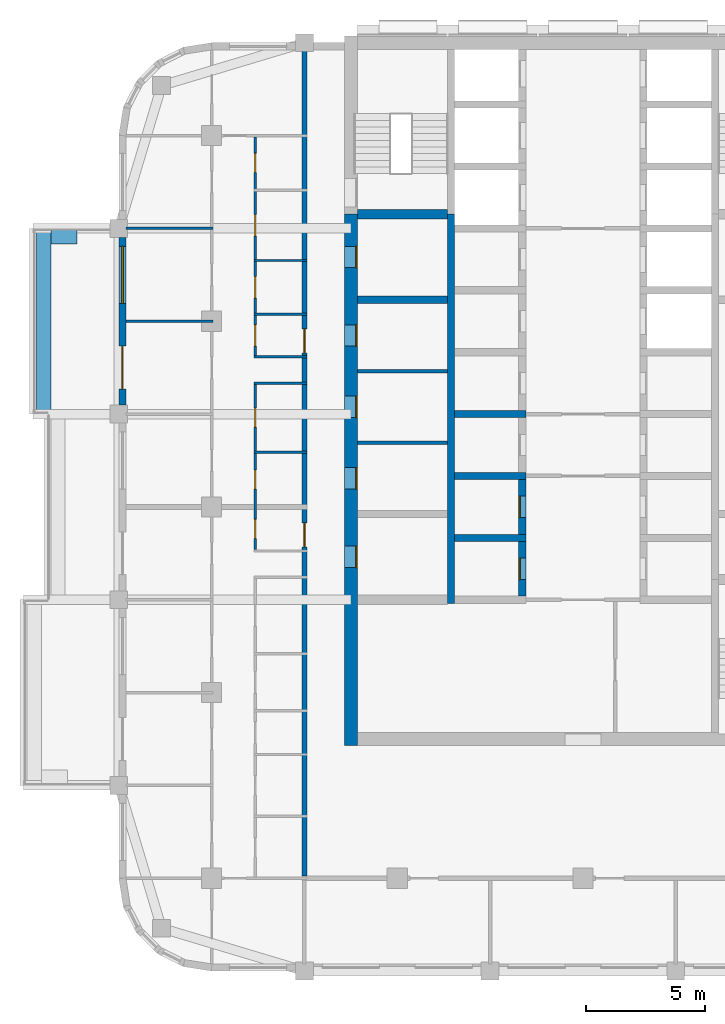
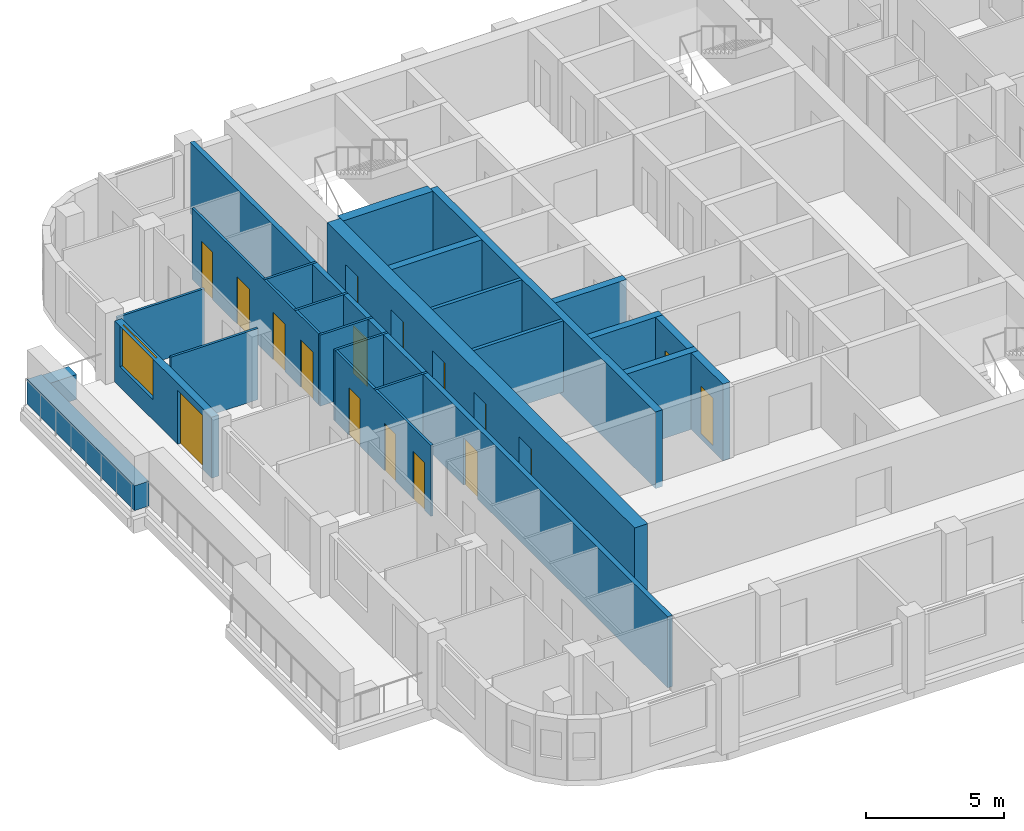
# One storey, part 4 of 13: 24 walls, 17 doors, 1 window, 18 openings.
"""IFC4 building model written with IfcOpenShell, lengths in metres."""

from ifc_helpers import new_model, si_unit, direction, frame, frame_2d, origin, place, context, subcontext, project, spatial, rectangle, extrude, material, layer, layer_set, type_object, element, fill, save


model = new_model("IFC4")

# Units and contexts
model_context = context("Model", 3, precision=1e-05, world=origin(), true_north=direction((0.0, 1.0)))
body_context = subcontext(model_context, "Body", "Model", "MODEL_VIEW")
ifc_project = project(units=[si_unit("LENGTHUNIT", "METRE"), si_unit("AREAUNIT", "SQUARE_METRE"), si_unit("VOLUMEUNIT", "CUBIC_METRE"), si_unit("PLANEANGLEUNIT", "RADIAN"), si_unit("MASSUNIT", "GRAM", prefix="KILO")], contexts=[model_context])

# Site, building, storey
site_placement = place(None, origin())
site = spatial("IfcSite", under=ifc_project, at=site_placement, CompositionType="ELEMENT")
building_placement = place(site_placement, origin())
building = spatial("IfcBuilding", under=site, at=building_placement, Name="Ludao Terraces", CompositionType="ELEMENT")
storey_placement = place(building_placement, frame((0.0, 0.0, 186.0)))
storey = spatial("IfcBuildingStorey", under=building, at=storey_placement, Name="L50", CompositionType="ELEMENT", Elevation=186.0)

# Wall, openings, doors
ifc_material_1 = material(Name="Concrete C60", Category="concrete")
ifc_layer_1 = layer(ifc_material_1, 0.550048828125)
ifc_layer_set_1 = layer_set([ifc_layer_1], Name="Core wall 550 C60")
wall_type_1 = type_object("IfcWallType", Name="Core wall 550 C60", PredefinedType="SOLIDWALL", material=ifc_layer_set_1)
wall_1_placement = place(storey_placement, frame((75.25, 54.97509765625, -0.25), z_axis=(0.0, 0.0, 1.0), x_axis=(0.0, 1.0, 0.0)))
wall_1 = element("IfcWall", 1, at=wall_1_placement, inside=storey, type_object=wall_type_1, Name="Core wall L50 outer-W", PredefinedType="SOLIDWALL", context=body_context, shape_type="SweptSolid", body=[
    extrude(rectangle(XDim=22.324951171875, YDim=0.550048828125, at=frame_2d((11.16259765625, 0.0))), origin(), (0.0, 0.0, 1.0), 3.39990234375),
])
opening_1_placement = place(wall_1_placement, frame((7.47509765625, 0.0, 0.25)))
opening_1 = element("IfcOpeningElement", 2, at=opening_1_placement, cuts=wall_1, Name="Opening R18-032", PredefinedType="OPENING", context=body_context, shape_type="SweptSolid", body=[
    extrude(rectangle(XDim=0.89990234375, YDim=2.10009765625, at=frame_2d((0.449951171875, 1.050048828125))), frame((0.0, 0.28515625, 0.0), z_axis=(0.0, -1.0, 0.0), x_axis=(1.0, 0.0, 0.0)), (0.0, 0.0, 1.0), 0.570068359375),
])
opening_2_placement = place(wall_1_placement, frame((10.77490234375, 0.0, 0.25)))
opening_2 = element("IfcOpeningElement", 3, at=opening_2_placement, cuts=wall_1, Name="Opening R18-042", PredefinedType="OPENING", context=body_context, shape_type="SweptSolid", body=[
    extrude(rectangle(XDim=0.89990234375, YDim=2.10009765625, at=frame_2d((0.449951171875, 1.050048828125))), frame((0.0, 0.28515625, 0.0), z_axis=(0.0, -1.0, 0.0), x_axis=(1.0, 0.0, 0.0)), (0.0, 0.0, 1.0), 0.570068359375),
])
opening_3_placement = place(wall_1_placement, frame((13.77490234375, 0.0, 0.25)))
opening_3 = element("IfcOpeningElement", 4, at=opening_3_placement, cuts=wall_1, Name="Opening R18-051", PredefinedType="OPENING", context=body_context, shape_type="SweptSolid", body=[
    extrude(rectangle(XDim=0.89990234375, YDim=2.10009765625, at=frame_2d((0.449951171875, 1.050048828125))), frame((0.0, 0.28515625, 0.0), z_axis=(0.0, -1.0, 0.0), x_axis=(1.0, 0.0, 0.0)), (0.0, 0.0, 1.0), 0.570068359375),
])
opening_4_placement = place(wall_1_placement, frame((16.77490234375, 0.0, 0.25)))
opening_4 = element("IfcOpeningElement", 5, at=opening_4_placement, cuts=wall_1, Name="Opening R18-060", PredefinedType="OPENING", context=body_context, shape_type="SweptSolid", body=[
    extrude(rectangle(XDim=0.89990234375, YDim=2.10009765625, at=frame_2d((0.449951171875, 1.050048828125))), frame((0.0, 0.28515625, 0.0), z_axis=(0.0, -1.0, 0.0), x_axis=(1.0, 0.0, 0.0)), (0.0, 0.0, 1.0), 0.570068359375),
])
opening_5_placement = place(wall_1_placement, frame((20.074951171875, 0.0, 0.25)))
opening_5 = element("IfcOpeningElement", 6, at=opening_5_placement, cuts=wall_1, Name="Opening R18-070", PredefinedType="OPENING", context=body_context, shape_type="SweptSolid", body=[
    extrude(rectangle(XDim=0.89990234375, YDim=2.10009765625, at=frame_2d((0.449951171875, 1.050048828125))), frame((0.0, 0.28515625, 0.0), z_axis=(0.0, -1.0, 0.0), x_axis=(1.0, 0.0, 0.0)), (0.0, 0.0, 1.0), 0.570068359375),
])
ifc_material_2 = material(Name="Steel Q235", Category="steel")
door_type_1 = type_object("IfcDoorType", Name="INT Riser door 900", OperationType="SINGLE_SWING_LEFT", PredefinedType="DOOR", material=ifc_material_2)
door_1_placement = place(opening_1_placement, origin())
door_1 = element("IfcDoor", 7, at=door_1_placement, inside=storey, type_object=door_type_1, Name="DOOR 032", OperationType="SINGLE_SWING_RIGHT", OverallHeight=2.10009765625, OverallWidth=0.89990234375, PredefinedType="DOOR", context=body_context, shape_type="SweptSolid", body=[
    extrude(rectangle(XDim=0.89990234375, YDim=2.10009765625, at=frame_2d((0.449951171875, 1.050048828125))), frame((0.0, -0.2099609375, 0.0), z_axis=(0.0, -1.0, 0.0), x_axis=(1.0, 0.0, 0.0)), (0.0, 0.0, 1.0), 0.050048828125),
])
fill(opening_1, door_1)
door_2_placement = place(opening_5_placement, origin())
door_2 = element("IfcDoor", 8, at=door_2_placement, inside=storey, type_object=door_type_1, Name="DOOR 070", OperationType="SINGLE_SWING_LEFT", OverallHeight=2.10009765625, OverallWidth=0.89990234375, PredefinedType="DOOR", context=body_context, shape_type="SweptSolid", body=[
    extrude(rectangle(XDim=0.89990234375, YDim=2.10009765625, at=frame_2d((0.449951171875, 1.050048828125))), frame((0.0, -0.2099609375, 0.0), z_axis=(0.0, -1.0, 0.0), x_axis=(1.0, 0.0, 0.0)), (0.0, 0.0, 1.0), 0.050048828125),
])
fill(opening_5, door_2)
ifc_material_3 = material(Name="Timber door leaf", Category="wood")
door_type_2 = type_object("IfcDoorType", Name="INT Room door 900", OperationType="SINGLE_SWING_LEFT", PredefinedType="DOOR", material=ifc_material_3)
door_3_placement = place(opening_2_placement, origin())
door_3 = element("IfcDoor", 9, at=door_3_placement, inside=storey, type_object=door_type_2, Name="DOOR 042", OperationType="SINGLE_SWING_RIGHT", OverallHeight=2.10009765625, OverallWidth=0.89990234375, PredefinedType="DOOR", context=body_context, shape_type="SweptSolid", body=[
    extrude(rectangle(XDim=0.89990234375, YDim=2.10009765625, at=frame_2d((0.449951171875, 1.050048828125))), frame((0.0, -0.2099609375, 0.0), z_axis=(0.0, -1.0, 0.0), x_axis=(1.0, 0.0, 0.0)), (0.0, 0.0, 1.0), 0.050048828125),
])
fill(opening_2, door_3)
door_4_placement = place(opening_3_placement, origin())
door_4 = element("IfcDoor", 10, at=door_4_placement, inside=storey, type_object=door_type_2, Name="DOOR 051", OperationType="SINGLE_SWING_LEFT", OverallHeight=2.10009765625, OverallWidth=0.89990234375, PredefinedType="DOOR", context=body_context, shape_type="SweptSolid", body=[
    extrude(rectangle(XDim=0.89990234375, YDim=2.10009765625, at=frame_2d((0.449951171875, 1.050048828125))), frame((0.0, -0.2099609375, 0.0), z_axis=(0.0, -1.0, 0.0), x_axis=(1.0, 0.0, 0.0)), (0.0, 0.0, 1.0), 0.050048828125),
])
fill(opening_3, door_4)
door_5_placement = place(opening_4_placement, origin())
door_5 = element("IfcDoor", 11, at=door_5_placement, inside=storey, type_object=door_type_2, Name="DOOR 060", OperationType="SINGLE_SWING_LEFT", OverallHeight=2.10009765625, OverallWidth=0.89990234375, PredefinedType="DOOR", context=body_context, shape_type="SweptSolid", body=[
    extrude(rectangle(XDim=0.89990234375, YDim=2.10009765625, at=frame_2d((0.449951171875, 1.050048828125))), frame((0.0, -0.2099609375, 0.0), z_axis=(0.0, -1.0, 0.0), x_axis=(1.0, 0.0, 0.0)), (0.0, 0.0, 1.0), 0.050048828125),
])
fill(opening_4, door_5)

# Walls
ifc_material_4 = material(Name="Concrete C40", Category="concrete")
ifc_layer_2 = layer(ifc_material_4, 0.60009765625)
ifc_layer_set_2 = layer_set([ifc_layer_2], Name="ENV Planter trough 600")
wall_type_2 = type_object("IfcWallType", Name="ENV Planter trough 600", PredefinedType="USERDEFINED", material=ifc_layer_set_2)
wall_2_placement = place(storey_placement, frame((62.35009765625, 68.89990234375, 0.0), z_axis=(0.0, 0.0, 1.0), x_axis=(0.0, 1.0, 0.0)))
element("IfcWall", 12, at=wall_2_placement, inside=storey, type_object=wall_type_2, Name="PL-L50-W3", ObjectType="PLANTER", PredefinedType="USERDEFINED", context=body_context, shape_type="SweptSolid", body=[
    extrude(rectangle(XDim=7.800048828125, YDim=0.60009765625, at=frame_2d((3.89990234375, 0.0))), origin(), (0.0, 0.0, 1.0), 1.10009765625),
])
wall_3_placement = place(storey_placement, frame((62.64990234375, 76.35009765625, 0.0), z_axis=(0.0, 0.0, 1.0), x_axis=(1.0, 0.0, 0.0)))
element("IfcWall", 13, at=wall_3_placement, inside=storey, type_object=wall_type_2, Name="PL-L50-W3-SB", ObjectType="PLANTER", PredefinedType="USERDEFINED", context=body_context, shape_type="SweptSolid", body=[
    extrude(rectangle(XDim=1.10009765625, YDim=0.60009765625, at=frame_2d((0.550048828125, 0.0))), origin(), (0.0, 0.0, 1.0), 1.10009765625),
])

# Wall, openings, door, window
ifc_material_5 = material(Name="Granite cladding", Category="masonry")
ifc_layer_3 = layer(ifc_material_5, 0.0400390625, Category="stone")
ifc_material_6 = material(Name="Mineral wool")
ifc_layer_4 = layer(ifc_material_6, 0.06005859375)
ifc_layer_5 = layer(ifc_material_4, 0.199951171875, Category="concrete")
ifc_layer_set_3 = layer_set([ifc_layer_3, ifc_layer_4, ifc_layer_5], Name="ENV Stone-clad wall 300")
wall_type_3 = type_object("IfcWallType", Name="ENV Stone-clad wall 300", PredefinedType="SOLIDWALL", material=ifc_layer_set_3)
wall_4_placement = place(storey_placement, frame((65.64990234375, 69.27490234375, 0.0), z_axis=(0.0, 0.0, 1.0), x_axis=(0.0, 1.0, 0.0)))
wall_4 = element("IfcWall", 14, at=wall_4_placement, inside=storey, type_object=wall_type_3, Name="EW-L50-W4", PredefinedType="SOLIDWALL", context=body_context, shape_type="SweptSolid", body=[
    extrude(rectangle(XDim=7.050048828125, YDim=0.300048828125, at=frame_2d((3.52490234375, 0.0))), origin(), (0.0, 0.0, 1.0), 2.699951171875),
])
opening_6_placement = place(wall_4_placement, frame((0.675048828125, 0.0, 0.0)))
opening_6 = element("IfcOpeningElement", 15, at=opening_6_placement, cuts=wall_4, Name="Opening BD", PredefinedType="OPENING", context=body_context, shape_type="SweptSolid", body=[
    extrude(rectangle(XDim=1.800048828125, YDim=2.39990234375, at=frame_2d((0.89990234375, 1.199951171875))), frame((0.0, 0.16015625, 0.0), z_axis=(0.0, -1.0, 0.0), x_axis=(1.0, 0.0, 0.0)), (0.0, 0.0, 1.0), 0.320068359375),
])
opening_7_placement = place(wall_4_placement, frame((4.27490234375, 0.0, 0.89990234375)))
opening_7 = element("IfcOpeningElement", 16, at=opening_7_placement, cuts=wall_4, Name="Opening W1", PredefinedType="OPENING", context=body_context, shape_type="SweptSolid", body=[
    extrude(rectangle(XDim=2.39990234375, YDim=1.800048828125, at=frame_2d((1.199951171875, 0.89990234375))), frame((0.0, 0.16015625, 0.0), z_axis=(0.0, -1.0, 0.0), x_axis=(1.0, 0.0, 0.0)), (0.0, 0.0, 1.0), 0.320068359375),
])
ifc_material_7 = material(Name="Aluminium glazed door", Category="aluminium")
ifc_layer_6 = layer(ifc_material_7, 0.06005859375)
ifc_layer_set_4 = layer_set([ifc_layer_6], Name="ENV Balcony door BD 1800x2400")
door_type_3 = type_object("IfcDoorType", Name="ENV Balcony door BD 1800x2400", OperationType="DOUBLE_DOOR_SINGLE_SWING", PredefinedType="DOOR", material=ifc_layer_set_4)
door_6_placement = place(opening_6_placement, origin())
door_6 = element("IfcDoor", 17, at=door_6_placement, inside=storey, type_object=door_type_3, Name="BD-L50-W4-1", OperationType="DOUBLE_DOOR_SINGLE_SWING", OverallHeight=2.39990234375, OverallWidth=1.800048828125, PredefinedType="DOOR", context=body_context, shape_type="SweptSolid", body=[
    extrude(rectangle(XDim=1.800048828125, YDim=2.39990234375, at=frame_2d((0.89990234375, 1.199951171875))), frame((0.0, 0.02490234375, 0.0), z_axis=(0.0, -1.0, 0.0), x_axis=(1.0, 0.0, 0.0)), (0.0, 0.0, 1.0), 0.050048828125),
])
fill(opening_6, door_6)
ifc_material_8 = material(Name="Clear glass in aluminium frame", Category="aluminium")
ifc_layer_7 = layer(ifc_material_8, 0.06005859375)
ifc_layer_set_5 = layer_set([ifc_layer_7], Name="ENV Window W1 2400x1800")
window_type = type_object("IfcWindowType", Name="ENV Window W1 2400x1800", PartitioningType="DOUBLE_PANEL_VERTICAL", PredefinedType="WINDOW", material=ifc_layer_set_5)
window_placement = place(opening_7_placement, origin())
window = element("IfcWindow", 18, at=window_placement, inside=storey, type_object=window_type, Name="W-L50-W4-2", OverallHeight=1.800048828125, OverallWidth=2.39990234375, PartitioningType="DOUBLE_PANEL_VERTICAL", PredefinedType="WINDOW", context=body_context, shape_type="SweptSolid", body=[
    extrude(rectangle(XDim=2.39990234375, YDim=1.800048828125, at=frame_2d((1.199951171875, 0.89990234375))), frame((0.0, 0.030029296875, 0.0), z_axis=(0.0, -1.0, 0.0), x_axis=(1.0, 0.0, 0.0)), (0.0, 0.0, 1.0), 0.06005859375),
])
fill(opening_7, window)

# Walls
ifc_material_9 = material(Name="Fire-rated gypsum plasterboard", Category="gypsum")
ifc_layer_8 = layer(ifc_material_9, 0.012451171875, Category="gypsum")
ifc_layer_9 = layer(ifc_material_6, 0.10009765625, Name="insulation")
ifc_layer_10 = layer(ifc_material_2, 0.02490234375, Name="stud")
ifc_layer_11 = layer(ifc_material_9, 0.012451171875, Category="gypsum")
ifc_layer_set_6 = layer_set([ifc_layer_8, ifc_layer_9, ifc_layer_10, ifc_layer_11], Name="INT Core partition 150")
wall_type_4 = type_object("IfcWallType", Name="INT Core partition 150", PredefinedType="PARTITIONING", material=ifc_layer_set_6)
for number, where, z_axis, x_axis, name in (
    (19, (75.525146484375, 67.699951171875, 0.0), (0.0, 0.0, 1.0), (1.0, 0.0, 0.0), "PW-L50-PW026"),
    (20, (75.525146484375, 70.699951171875, 0.0), (0.0, 0.0, 1.0), (1.0, 0.0, 0.0), "PW-L50-PW033"),
):
    element("IfcWall", number, at=place(storey_placement, frame(where, z_axis=z_axis, x_axis=x_axis)), inside=storey, type_object=wall_type_4, Name=name, PredefinedType="PARTITIONING", context=body_context, shape_type="SweptSolid", body=[
        extrude(rectangle(XDim=3.77490234375, YDim=0.14990234375, at=frame_2d((1.887451171875, 0.0))), origin(), (0.0, 0.0, 1.0), 3.14990234375),
    ])

# Wall, openings, doors
ifc_material_10 = material(Name="Autoclaved aerated concrete block B06 A3.5", Category="concrete")
ifc_layer_12 = layer(ifc_material_10, 0.199951171875)
ifc_layer_set_7 = layer_set([ifc_layer_12], Name="INT Entrance wall 200")
wall_type_5 = type_object("IfcWallType", Name="INT Entrance wall 200", PredefinedType="PARTITIONING", material=ifc_layer_set_7)
wall_5_placement = place(storey_placement, frame((73.300048828125, 49.5, 0.0), z_axis=(0.0, 0.0, 1.0), x_axis=(0.0, 1.0, 0.0)))
wall_5 = element("IfcWall", 21, at=wall_5_placement, inside=storey, type_object=wall_type_5, Name="PW-L50-PW054", PredefinedType="PARTITIONING", context=body_context, shape_type="SweptSolid", body=[
    extrude(rectangle(XDim=34.7001953125, YDim=0.199951171875, at=frame_2d((17.35009765625, 0.0))), origin(), (0.0, 0.0, 1.0), 3.14990234375),
])
opening_8_placement = place(wall_5_placement, frame((13.8251953125, 0.0, 0.0)))
opening_8 = element("IfcOpeningElement", 22, at=opening_8_placement, cuts=wall_5, Name="Opening R18-035", PredefinedType="OPENING", context=body_context, shape_type="SweptSolid", body=[
    extrude(rectangle(XDim=1.0, YDim=2.10009765625, at=frame_2d((0.5, 1.050048828125))), frame((0.0, 0.10986328125, 0.0), z_axis=(0.0, -1.0, 0.0), x_axis=(1.0, 0.0, 0.0)), (0.0, 0.0, 1.0), 0.219970703125),
])
opening_9_placement = place(wall_5_placement, frame((21.97509765625, 0.0, 0.0)))
opening_9 = element("IfcOpeningElement", 23, at=opening_9_placement, cuts=wall_5, Name="Opening R18-058", PredefinedType="OPENING", context=body_context, shape_type="SweptSolid", body=[
    extrude(rectangle(XDim=1.0, YDim=2.10009765625, at=frame_2d((0.5, 1.050048828125))), frame((0.0, 0.10986328125, 0.0), z_axis=(0.0, -1.0, 0.0), x_axis=(1.0, 0.0, 0.0)), (0.0, 0.0, 1.0), 0.219970703125),
])
door_type_4 = type_object("IfcDoorType", Name="INT Flat entrance door 1000", OperationType="SINGLE_SWING_LEFT", PredefinedType="DOOR", material=ifc_material_2)
door_7_placement = place(opening_8_placement, origin())
door_7 = element("IfcDoor", 24, at=door_7_placement, inside=storey, type_object=door_type_4, Name="DOOR 035", OperationType="SINGLE_SWING_RIGHT", OverallHeight=2.10009765625, OverallWidth=1.0, PredefinedType="DOOR", context=body_context, shape_type="SweptSolid", body=[
    extrude(rectangle(XDim=1.0, YDim=2.10009765625, at=frame_2d((0.5, 1.050048828125))), frame((0.0, 0.02490234375, 0.0), z_axis=(0.0, -1.0, 0.0), x_axis=(1.0, 0.0, 0.0)), (0.0, 0.0, 1.0), 0.050048828125),
])
fill(opening_8, door_7)
door_8_placement = place(opening_9_placement, origin())
door_8 = element("IfcDoor", 25, at=door_8_placement, inside=storey, type_object=door_type_4, Name="DOOR 058", OperationType="SINGLE_SWING_RIGHT", OverallHeight=2.10009765625, OverallWidth=1.0, PredefinedType="DOOR", context=body_context, shape_type="SweptSolid", body=[
    extrude(rectangle(XDim=1.0, YDim=2.10009765625, at=frame_2d((0.5, 1.050048828125))), frame((0.0, 0.02490234375, 0.0), z_axis=(0.0, -1.0, 0.0), x_axis=(1.0, 0.0, 0.0)), (0.0, 0.0, 1.0), 0.050048828125),
])
fill(opening_9, door_8)

# Walls
ifc_material_11 = material(Name="Gypsum plasterboard", Category="gypsum")
ifc_layer_13 = layer(ifc_material_11, 0.012451171875, Category="gypsum")
ifc_layer_14 = layer(ifc_material_6, 0.06005859375, Name="insulation")
ifc_layer_15 = layer(ifc_material_2, 0.014892578125, Name="stud")
ifc_layer_16 = layer(ifc_material_11, 0.012451171875, Category="gypsum")
ifc_layer_set_8 = layer_set([ifc_layer_13, ifc_layer_14, ifc_layer_15, ifc_layer_16], Name="INT Partition 100")
wall_type_6 = type_object("IfcWallType", Name="INT Partition 100", PredefinedType="PARTITIONING", material=ifc_layer_set_8)
for number, where, z_axis, x_axis, name in (
    (26, (71.18017578125, 67.300048828125, 0.0), (0.0, 0.0, 1.0), (1.0, 0.0, 0.0), "PW-L50-PW025"),
    (27, (71.18017578125, 70.199951171875, 0.0), (0.0, 0.0, 1.0), (1.0, 0.0, 0.0), "PW-L50-PW032"),
    (28, (71.18017578125, 71.300048828125, 0.0), (0.0, 0.0, 1.0), (1.0, 0.0, 0.0), "PW-L50-PW034"),
):
    element("IfcWall", number, at=place(storey_placement, frame(where, z_axis=z_axis, x_axis=x_axis)), inside=storey, type_object=wall_type_6, Name=name, PredefinedType="PARTITIONING", context=body_context, shape_type="SweptSolid", body=[
        extrude(rectangle(XDim=2.219970703125, YDim=0.10009765625, at=frame_2d((1.10986328125, 0.0))), origin(), (0.0, 0.0, 1.0), 3.14990234375),
    ])
wall_6_placement = place(storey_placement, frame((65.800048828125, 72.800048828125, 0.0), z_axis=(0.0, 0.0, 1.0), x_axis=(1.0, 0.0, 0.0)))
element("IfcWall", 29, at=wall_6_placement, inside=storey, type_object=wall_type_6, Name="PW-L50-PW035", PredefinedType="PARTITIONING", context=body_context, shape_type="SweptSolid", body=[
    extrude(rectangle(XDim=3.650146484375, YDim=0.10009765625, at=frame_2d((1.8251953125, 0.0))), origin(), (0.0, 0.0, 1.0), 3.14990234375),
])
for number, where, z_axis, x_axis, name in (
    (30, (71.18017578125, 73.10009765625, 0.0), (0.0, 0.0, 1.0), (1.0, 0.0, 0.0), "PW-L50-PW037"),
    (31, (71.18017578125, 75.35009765625, 0.0), (0.0, 0.0, 1.0), (1.0, 0.0, 0.0), "PW-L50-PW039"),
):
    element("IfcWall", number, at=place(storey_placement, frame(where, z_axis=z_axis, x_axis=x_axis)), inside=storey, type_object=wall_type_6, Name=name, PredefinedType="PARTITIONING", context=body_context, shape_type="SweptSolid", body=[
        extrude(rectangle(XDim=2.219970703125, YDim=0.10009765625, at=frame_2d((1.10986328125, 0.0))), origin(), (0.0, 0.0, 1.0), 3.14990234375),
    ])
wall_7_placement = place(storey_placement, frame((65.800048828125, 76.699951171875, 0.0), z_axis=(0.0, 0.0, 1.0), x_axis=(1.0, 0.0, 0.0)))
element("IfcWall", 32, at=wall_7_placement, inside=storey, type_object=wall_type_6, Name="PW-L50-PW041", PredefinedType="PARTITIONING", context=body_context, shape_type="SweptSolid", body=[
    extrude(rectangle(XDim=3.650146484375, YDim=0.10009765625, at=frame_2d((1.8251953125, 0.0))), origin(), (0.0, 0.0, 1.0), 2.550048828125),
])

# Wall, openings, doors
wall_8_placement = place(storey_placement, frame((71.22998046875, 63.2001953125, 0.0), z_axis=(0.0, 0.0, 1.0), x_axis=(0.0, 1.0, 0.0)))
wall_8 = element("IfcWall", 33, at=wall_8_placement, inside=storey, type_object=wall_type_6, Name="PW-L50-PW051", PredefinedType="PARTITIONING", context=body_context, shape_type="SweptSolid", body=[
    extrude(rectangle(XDim=6.949951171875, YDim=0.10009765625, at=frame_2d((3.47509765625, 0.0))), origin(), (0.0, 0.0, 1.0), 3.14990234375),
])
opening_10_placement = place(wall_8_placement, frame((0.474853515625, 0.0, 0.0)))
opening_10 = element("IfcOpeningElement", 34, at=opening_10_placement, cuts=wall_8, Name="Opening R18-036", PredefinedType="OPENING", context=body_context, shape_type="SweptSolid", body=[
    extrude(rectangle(XDim=0.800048828125, YDim=2.10009765625, at=frame_2d((0.39990234375, 1.050048828125))), frame((0.0, 0.06005859375, 0.0), z_axis=(0.0, -1.0, 0.0), x_axis=(1.0, 0.0, 0.0)), (0.0, 0.0, 1.0), 0.1201171875),
])
opening_11_placement = place(wall_8_placement, frame((2.5498046875, 0.0, 0.0)))
opening_11 = element("IfcOpeningElement", 35, at=opening_11_placement, cuts=wall_8, Name="Opening R18-041", PredefinedType="OPENING", context=body_context, shape_type="SweptSolid", body=[
    extrude(rectangle(XDim=0.800048828125, YDim=2.10009765625, at=frame_2d((0.39990234375, 1.050048828125))), frame((0.0, 0.06005859375, 0.0), z_axis=(0.0, -1.0, 0.0), x_axis=(1.0, 0.0, 0.0)), (0.0, 0.0, 1.0), 0.1201171875),
])
opening_12_placement = place(wall_8_placement, frame((5.14990234375, 0.0, 0.0)))
opening_12 = element("IfcOpeningElement", 36, at=opening_12_placement, cuts=wall_8, Name="Opening R18-048", PredefinedType="OPENING", context=body_context, shape_type="SweptSolid", body=[
    extrude(rectangle(XDim=0.800048828125, YDim=2.10009765625, at=frame_2d((0.39990234375, 1.050048828125))), frame((0.0, 0.06005859375, 0.0), z_axis=(0.0, -1.0, 0.0), x_axis=(1.0, 0.0, 0.0)), (0.0, 0.0, 1.0), 0.1201171875),
])
door_type_5 = type_object("IfcDoorType", Name="INT Store door 800", OperationType="SINGLE_SWING_LEFT", PredefinedType="DOOR", material=ifc_material_3)
door_9_placement = place(opening_10_placement, origin())
door_9 = element("IfcDoor", 37, at=door_9_placement, inside=storey, type_object=door_type_5, Name="DOOR 036", OperationType="SINGLE_SWING_RIGHT", OverallHeight=2.10009765625, OverallWidth=0.800048828125, PredefinedType="DOOR", context=body_context, shape_type="SweptSolid", body=[
    extrude(rectangle(XDim=0.800048828125, YDim=2.10009765625, at=frame_2d((0.39990234375, 1.050048828125))), frame((0.0, 0.02490234375, 0.0), z_axis=(0.0, -1.0, 0.0), x_axis=(1.0, 0.0, 0.0)), (0.0, 0.0, 1.0), 0.050048828125),
])
fill(opening_10, door_9)
door_10_placement = place(opening_11_placement, origin())
door_10 = element("IfcDoor", 38, at=door_10_placement, inside=storey, type_object=door_type_5, Name="DOOR 041", OperationType="SINGLE_SWING_RIGHT", OverallHeight=2.10009765625, OverallWidth=0.800048828125, PredefinedType="DOOR", context=body_context, shape_type="SweptSolid", body=[
    extrude(rectangle(XDim=0.800048828125, YDim=2.10009765625, at=frame_2d((0.39990234375, 1.050048828125))), frame((0.0, 0.02490234375, 0.0), z_axis=(0.0, -1.0, 0.0), x_axis=(1.0, 0.0, 0.0)), (0.0, 0.0, 1.0), 0.050048828125),
])
fill(opening_11, door_10)
door_11_placement = place(opening_12_placement, origin())
door_11 = element("IfcDoor", 39, at=door_11_placement, inside=storey, type_object=door_type_5, Name="DOOR 048", OperationType="SINGLE_SWING_RIGHT", OverallHeight=2.10009765625, OverallWidth=0.800048828125, PredefinedType="DOOR", context=body_context, shape_type="SweptSolid", body=[
    extrude(rectangle(XDim=0.800048828125, YDim=2.10009765625, at=frame_2d((0.39990234375, 1.050048828125))), frame((0.0, 0.02490234375, 0.0), z_axis=(0.0, -1.0, 0.0), x_axis=(1.0, 0.0, 0.0)), (0.0, 0.0, 1.0), 0.050048828125),
])
fill(opening_12, door_11)

wall_9_placement = place(storey_placement, frame((71.22998046875, 71.35009765625, 0.0), z_axis=(0.0, 0.0, 1.0), x_axis=(0.0, 1.0, 0.0)))
wall_9 = element("IfcWall", 40, at=wall_9_placement, inside=storey, type_object=wall_type_6, Name="PW-L50-PW052", PredefinedType="PARTITIONING", context=body_context, shape_type="SweptSolid", body=[
    extrude(rectangle(XDim=9.199951171875, YDim=0.10009765625, at=frame_2d((4.60009765625, 0.0))), origin(), (0.0, 0.0, 1.0), 3.14990234375),
])
opening_13_placement = place(wall_9_placement, frame((0.39990234375, 0.0, 0.0)))
opening_13 = element("IfcOpeningElement", 41, at=opening_13_placement, cuts=wall_9, Name="Opening R18-059", PredefinedType="OPENING", context=body_context, shape_type="SweptSolid", body=[
    extrude(rectangle(XDim=0.89990234375, YDim=2.10009765625, at=frame_2d((0.449951171875, 1.050048828125))), frame((0.0, 0.06005859375, 0.0), z_axis=(0.0, -1.0, 0.0), x_axis=(1.0, 0.0, 0.0)), (0.0, 0.0, 1.0), 0.1201171875),
])
opening_14_placement = place(wall_9_placement, frame((2.425048828125, 0.0, 0.0)))
opening_14 = element("IfcOpeningElement", 42, at=opening_14_placement, cuts=wall_9, Name="Opening R18-064", PredefinedType="OPENING", context=body_context, shape_type="SweptSolid", body=[
    extrude(rectangle(XDim=0.89990234375, YDim=2.10009765625, at=frame_2d((0.449951171875, 1.050048828125))), frame((0.0, 0.06005859375, 0.0), z_axis=(0.0, -1.0, 0.0), x_axis=(1.0, 0.0, 0.0)), (0.0, 0.0, 1.0), 0.1201171875),
])
opening_15_placement = place(wall_9_placement, frame((5.02490234375, 0.0, 0.0)))
opening_15 = element("IfcOpeningElement", 43, at=opening_15_placement, cuts=wall_9, Name="Opening R18-074", PredefinedType="OPENING", context=body_context, shape_type="SweptSolid", body=[
    extrude(rectangle(XDim=0.89990234375, YDim=2.10009765625, at=frame_2d((0.449951171875, 1.050048828125))), frame((0.0, 0.06005859375, 0.0), z_axis=(0.0, -1.0, 0.0), x_axis=(1.0, 0.0, 0.0)), (0.0, 0.0, 1.0), 0.1201171875),
])
opening_16_placement = place(wall_9_placement, frame((7.699951171875, 0.0, 0.0)))
opening_16 = element("IfcOpeningElement", 44, at=opening_16_placement, cuts=wall_9, Name="Opening R18-082", PredefinedType="OPENING", context=body_context, shape_type="SweptSolid", body=[
    extrude(rectangle(XDim=0.800048828125, YDim=2.10009765625, at=frame_2d((0.39990234375, 1.050048828125))), frame((0.0, 0.06005859375, 0.0), z_axis=(0.0, -1.0, 0.0), x_axis=(1.0, 0.0, 0.0)), (0.0, 0.0, 1.0), 0.1201171875),
])
door_type_6 = type_object("IfcDoorType", Name="INT Bathroom door 900", OperationType="SINGLE_SWING_LEFT", PredefinedType="DOOR", material=ifc_material_3)
door_12_placement = place(opening_13_placement, origin())
door_12 = element("IfcDoor", 45, at=door_12_placement, inside=storey, type_object=door_type_6, Name="DOOR 059", OperationType="SINGLE_SWING_LEFT", OverallHeight=2.10009765625, OverallWidth=0.89990234375, PredefinedType="DOOR", context=body_context, shape_type="SweptSolid", body=[
    extrude(rectangle(XDim=0.89990234375, YDim=2.10009765625, at=frame_2d((0.449951171875, 1.050048828125))), frame((0.0, 0.02490234375, 0.0), z_axis=(0.0, -1.0, 0.0), x_axis=(1.0, 0.0, 0.0)), (0.0, 0.0, 1.0), 0.050048828125),
])
fill(opening_13, door_12)
door_13_placement = place(opening_14_placement, origin())
door_13 = element("IfcDoor", 46, at=door_13_placement, inside=storey, type_object=door_type_6, Name="DOOR 064", OperationType="SINGLE_SWING_RIGHT", OverallHeight=2.10009765625, OverallWidth=0.89990234375, PredefinedType="DOOR", context=body_context, shape_type="SweptSolid", body=[
    extrude(rectangle(XDim=0.89990234375, YDim=2.10009765625, at=frame_2d((0.449951171875, 1.050048828125))), frame((0.0, 0.02490234375, 0.0), z_axis=(0.0, -1.0, 0.0), x_axis=(1.0, 0.0, 0.0)), (0.0, 0.0, 1.0), 0.050048828125),
])
fill(opening_14, door_13)
door_14_placement = place(opening_15_placement, origin())
door_14 = element("IfcDoor", 47, at=door_14_placement, inside=storey, type_object=door_type_2, Name="DOOR 074", OperationType="SINGLE_SWING_LEFT", OverallHeight=2.10009765625, OverallWidth=0.89990234375, PredefinedType="DOOR", context=body_context, shape_type="SweptSolid", body=[
    extrude(rectangle(XDim=0.89990234375, YDim=2.10009765625, at=frame_2d((0.449951171875, 1.050048828125))), frame((0.0, 0.02490234375, 0.0), z_axis=(0.0, -1.0, 0.0), x_axis=(1.0, 0.0, 0.0)), (0.0, 0.0, 1.0), 0.050048828125),
])
fill(opening_15, door_14)
door_15_placement = place(opening_16_placement, origin())
door_15 = element("IfcDoor", 48, at=door_15_placement, inside=storey, type_object=door_type_5, Name="DOOR 082", OperationType="SINGLE_SWING_LEFT", OverallHeight=2.10009765625, OverallWidth=0.800048828125, PredefinedType="DOOR", context=body_context, shape_type="SweptSolid", body=[
    extrude(rectangle(XDim=0.800048828125, YDim=2.10009765625, at=frame_2d((0.39990234375, 1.050048828125))), frame((0.0, 0.02490234375, 0.0), z_axis=(0.0, -1.0, 0.0), x_axis=(1.0, 0.0, 0.0)), (0.0, 0.0, 1.0), 0.050048828125),
])
fill(opening_16, door_15)

# Wall
ifc_material_12 = material(Name="Concrete C55", Category="concrete")
ifc_layer_17 = layer(ifc_material_12, 0.300048828125)
ifc_layer_set_9 = layer_set([ifc_layer_17], Name="Shaft wall 300 C55")
wall_type_7 = type_object("IfcWallType", Name="Shaft wall 300 C55", PredefinedType="SOLIDWALL", material=ifc_layer_set_9)
wall_10_placement = place(storey_placement, frame((79.449951171875, 60.949951171875, -0.25), z_axis=(0.0, 0.0, 1.0), x_axis=(0.0, 1.0, 0.0)))
element("IfcWall", 49, at=wall_10_placement, inside=storey, type_object=wall_type_7, Name="Core wall L50 back-W", PredefinedType="SOLIDWALL", context=body_context, shape_type="SweptSolid", body=[
    extrude(rectangle(XDim=16.35009765625, YDim=0.300048828125, at=frame_2d((8.175048828125, 0.0))), origin(), (0.0, 0.0, 1.0), 3.39990234375),
])

# Wall, opening, door
wall_11_placement = place(storey_placement, frame((82.449951171875, 61.25, -0.25), z_axis=(0.0, 0.0, 1.0), x_axis=(0.0, 1.0, 0.0)))
wall_11 = element("IfcWall", 50, at=wall_11_placement, inside=storey, type_object=wall_type_7, Name="Core wall L50 front-W1", PredefinedType="SOLIDWALL", context=body_context, shape_type="SweptSolid", body=[
    extrude(rectangle(XDim=2.300048828125, YDim=0.300048828125, at=frame_2d((1.14990234375, 0.0))), origin(), (0.0, 0.0, 1.0), 3.39990234375),
])
opening_17_placement = place(wall_11_placement, frame((0.699951171875, 0.0, 0.25)))
opening_17 = element("IfcOpeningElement", 51, at=opening_17_placement, cuts=wall_11, Name="Opening R18-029", PredefinedType="OPENING", context=body_context, shape_type="SweptSolid", body=[
    extrude(rectangle(XDim=0.89990234375, YDim=2.10009765625, at=frame_2d((0.449951171875, 1.050048828125))), frame((0.0, 0.16015625, 0.0), z_axis=(0.0, -1.0, 0.0), x_axis=(1.0, 0.0, 0.0)), (0.0, 0.0, 1.0), 0.320068359375),
])
door_16_placement = place(opening_17_placement, origin())
door_16 = element("IfcDoor", 52, at=door_16_placement, inside=storey, type_object=door_type_2, Name="DOOR 029", OperationType="SINGLE_SWING_RIGHT", OverallHeight=2.10009765625, OverallWidth=0.89990234375, PredefinedType="DOOR", context=body_context, shape_type="SweptSolid", body=[
    extrude(rectangle(XDim=0.89990234375, YDim=2.10009765625, at=frame_2d((0.449951171875, 1.050048828125))), frame((0.0, 0.13525390625, 0.0), z_axis=(0.0, -1.0, 0.0), x_axis=(1.0, 0.0, 0.0)), (0.0, 0.0, 1.0), 0.050048828125),
])
fill(opening_17, door_16)

# Wall
wall_12_placement = place(storey_placement, frame((79.60009765625, 63.699951171875, -0.25), z_axis=(0.0, 0.0, 1.0), x_axis=(1.0, 0.0, 0.0)))
element("IfcWall", 53, at=wall_12_placement, inside=storey, type_object=wall_type_7, Name="Core wall L50 div-W2", PredefinedType="SOLIDWALL", context=body_context, shape_type="SweptSolid", body=[
    extrude(rectangle(XDim=3.0, YDim=0.300048828125, at=frame_2d((1.5, 0.0))), origin(), (0.0, 0.0, 1.0), 3.39990234375),
])

# Wall, opening, door
wall_13_placement = place(storey_placement, frame((82.449951171875, 63.85009765625, -0.25), z_axis=(0.0, 0.0, 1.0), x_axis=(0.0, 1.0, 0.0)))
wall_13 = element("IfcWall", 54, at=wall_13_placement, inside=storey, type_object=wall_type_7, Name="Core wall L50 front-W2", PredefinedType="SOLIDWALL", context=body_context, shape_type="SweptSolid", body=[
    extrude(rectangle(XDim=2.2998046875, YDim=0.300048828125, at=frame_2d((1.14990234375, 0.0))), origin(), (0.0, 0.0, 1.0), 3.39990234375),
])
opening_18_placement = place(wall_13_placement, frame((0.699951171875, 0.0, 0.25)))
opening_18 = element("IfcOpeningElement", 55, at=opening_18_placement, cuts=wall_13, Name="Opening R18-037", PredefinedType="OPENING", context=body_context, shape_type="SweptSolid", body=[
    extrude(rectangle(XDim=0.89990234375, YDim=2.10009765625, at=frame_2d((0.449951171875, 1.050048828125))), frame((0.0, 0.16015625, 0.0), z_axis=(0.0, -1.0, 0.0), x_axis=(1.0, 0.0, 0.0)), (0.0, 0.0, 1.0), 0.320068359375),
])
door_17_placement = place(opening_18_placement, origin())
door_17 = element("IfcDoor", 56, at=door_17_placement, inside=storey, type_object=door_type_2, Name="DOOR 037", OperationType="SINGLE_SWING_LEFT", OverallHeight=2.10009765625, OverallWidth=0.89990234375, PredefinedType="DOOR", context=body_context, shape_type="SweptSolid", body=[
    extrude(rectangle(XDim=0.89990234375, YDim=2.10009765625, at=frame_2d((0.449951171875, 1.050048828125))), frame((0.0, 0.13525390625, 0.0), z_axis=(0.0, -1.0, 0.0), x_axis=(1.0, 0.0, 0.0)), (0.0, 0.0, 1.0), 0.050048828125),
])
fill(opening_18, door_17)

# Walls
for number, where, z_axis, x_axis, name in (
    (57, (79.60009765625, 66.300048828125, -0.25), (0.0, 0.0, 1.0), (1.0, 0.0, 0.0), "Core wall L50 div-W3"),
    (58, (79.60009765625, 68.89990234375, -0.25), (0.0, 0.0, 1.0), (1.0, 0.0, 0.0), "Core wall L50 div-W4"),
):
    element("IfcWall", number, at=place(storey_placement, frame(where, z_axis=z_axis, x_axis=x_axis)), inside=storey, type_object=wall_type_7, Name=name, PredefinedType="SOLIDWALL", context=body_context, shape_type="SweptSolid", body=[
        extrude(rectangle(XDim=3.0, YDim=0.300048828125, at=frame_2d((1.5, 0.0))), origin(), (0.0, 0.0, 1.0), 3.39990234375),
    ])
wall_14_placement = place(storey_placement, frame((75.52490234375, 73.699951171875, -0.25), z_axis=(0.0, 0.0, 1.0), x_axis=(1.0, 0.0, 0.0)))
element("IfcWall", 59, at=wall_14_placement, inside=storey, type_object=wall_type_7, Name="Core wall L50 riser-b-W", PredefinedType="SOLIDWALL", context=body_context, shape_type="SweptSolid", body=[
    extrude(rectangle(XDim=3.775146484375, YDim=0.300048828125, at=frame_2d((1.8876953125, 0.0))), origin(), (0.0, 0.0, 1.0), 3.39990234375),
])
ifc_layer_18 = layer(ifc_material_12, 0.39990234375)
ifc_layer_set_10 = layer_set([ifc_layer_18], Name="Shaft wall 400 C55")
wall_type_8 = type_object("IfcWallType", Name="Shaft wall 400 C55", PredefinedType="SOLIDWALL", material=ifc_layer_set_10)
wall_15_placement = place(storey_placement, frame((75.52490234375, 77.300048828125, -0.25), z_axis=(0.0, 0.0, 1.0), x_axis=(1.0, 0.0, 0.0)))
element("IfcWall", 60, at=wall_15_placement, inside=storey, type_object=wall_type_8, Name="Core wall L50 stair-W", PredefinedType="SOLIDWALL", context=body_context, shape_type="SweptSolid", body=[
    extrude(rectangle(XDim=3.775146484375, YDim=0.39990234375, at=frame_2d((1.8876953125, 0.0))), origin(), (0.0, 0.0, 1.0), 3.39990234375),
])

save(model, "model.ifc")
